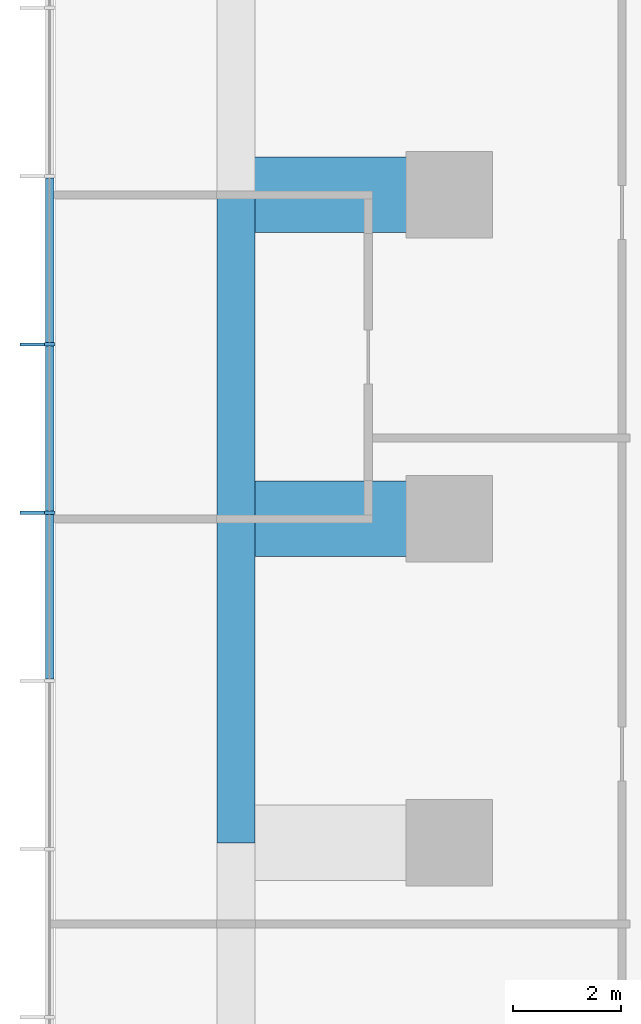
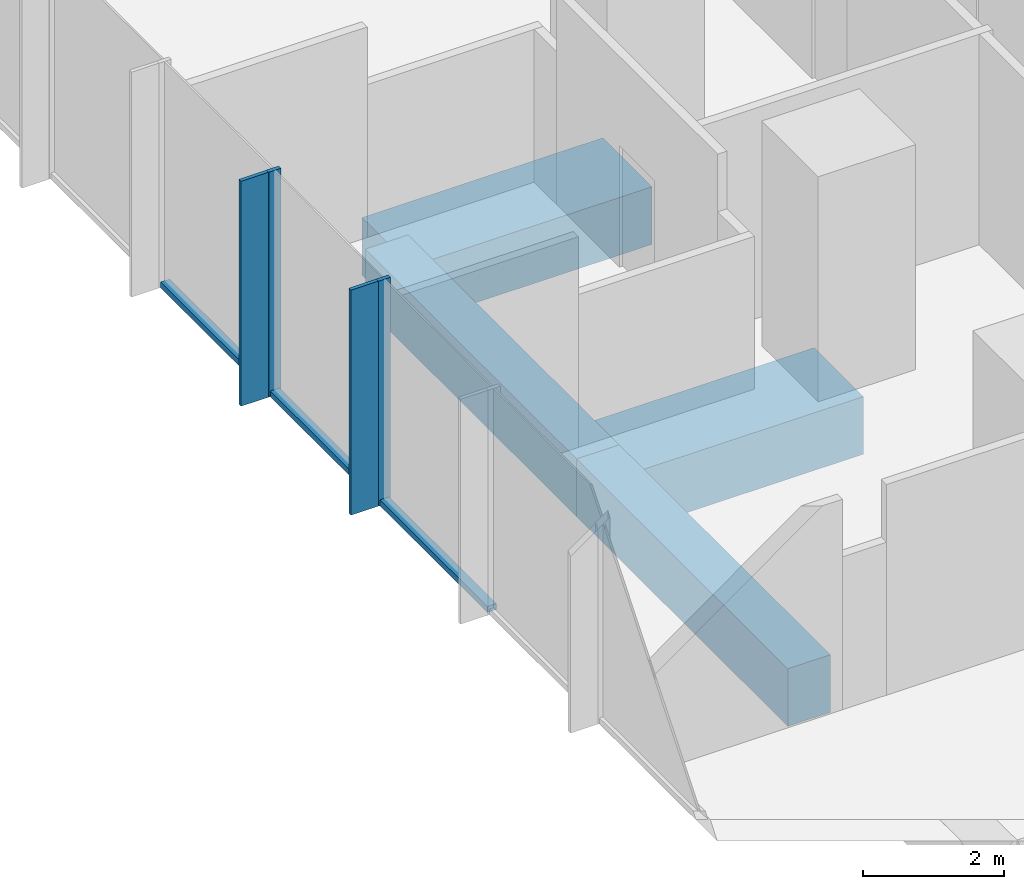
# One storey, part 3 of 11: 7 members, 4 beams, 1 element without a shape of its own.
"""IFC4 building model written with IfcOpenShell, lengths in metres."""

from ifc_helpers import new_model, si_unit, direction, frame, origin, origin_2d, place, context, subcontext, project, spatial, rectangle, extrude, material, layer, layer_set, material_profile, profile_set, type_object, element, aggregate, save


model = new_model("IFC4")

# Units and contexts
model_context = context("Model", 3, precision=1e-05, world=origin(), true_north=direction((0.0, 1.0)))
body_context = subcontext(model_context, "Body", "Model", "MODEL_VIEW")
ifc_project = project(units=[si_unit("LENGTHUNIT", "METRE"), si_unit("AREAUNIT", "SQUARE_METRE"), si_unit("VOLUMEUNIT", "CUBIC_METRE"), si_unit("PLANEANGLEUNIT", "RADIAN"), si_unit("MASSUNIT", "GRAM", prefix="KILO")], contexts=[model_context])

# Site, building, storey
site_placement = place(None, origin())
site = spatial("IfcSite", under=ifc_project, at=site_placement, CompositionType="ELEMENT")
building_placement = place(site_placement, origin())
building = spatial("IfcBuilding", under=site, at=building_placement, Name="Highveld Stack Headquarters", CompositionType="ELEMENT")
storey_placement = place(building_placement, frame((0.0, 0.0, 188.89990234375)))
storey = spatial("IfcBuildingStorey", under=building, at=storey_placement, Name="L46", CompositionType="ELEMENT", Elevation=188.89990234375)

# Beams
ifc_material_1 = material(Name="Concrete C60/75", Category="concrete")
ifc_material_profile_1 = material_profile(ifc_material_1, rectangle(XDim=1.39990234375, YDim=1.0, at=origin_2d()), Name="RC 1400x1000")
ifc_profile_set_1 = profile_set([ifc_material_profile_1], Name="Concrete C60/75")
beam_type_1 = type_object("IfcBeamType", Name="CANTILEVER RIB RC 1400x1000", PredefinedType="USERDEFINED", material=ifc_profile_set_1)
for number, where, z_axis, x_axis, name in (
    (1, (-12.0, 12.0, -0.75), (-1.0, 0.0, 0.0), (0.0, -1.0, 0.0), "Cantilever rib 4/G L46"),
    (2, (-12.0, 18.0, -0.75), (-1.0, 0.0, 0.0), (0.0, -1.0, 0.0), "Cantilever rib 4/H L46"),
):
    element("IfcBeam", number, at=place(storey_placement, frame(where, z_axis=z_axis, x_axis=x_axis)), inside=storey, type_object=beam_type_1, Name=name, ObjectType="CANTILEVER RIB", PredefinedType="USERDEFINED", context=body_context, shape_type="SweptSolid", body=[
        extrude(rectangle(XDim=1.39990234375, YDim=1.0, at=origin_2d()), origin(), (0.0, 0.0, 1.0), 3.949951171875),
    ])

# Curtain wall, members
ifc_material_2 = material(Name="Aluminium bronze anodised", Category="aluminium")
ifc_layer = layer(ifc_material_2, 0.199951171875)
ifc_layer_set = layer_set([ifc_layer], Name="Aluminium bronze anodised")
curtain_wall_type = type_object("IfcCurtainWallType", Name="CW1 TOWER UNITISED CURTAIN WALL", PredefinedType="NOTDEFINED", material=ifc_layer_set)
curtain_wall_placement = place(storey_placement, origin())
curtain_wall = element("IfcCurtainWall", 3, at=curtain_wall_placement, inside=storey, type_object=curtain_wall_type, Name="Curtain wall CW1 L46 W", PredefinedType="NOTDEFINED")
ifc_material_3 = material(Name="Aluminium bronze anodised", Category="aluminium")
ifc_material_profile_2 = material_profile(ifc_material_3, rectangle(XDim=0.449951171875, YDim=0.06005859375, at=origin_2d()), Name="FIN 450x60")
ifc_profile_set_2 = profile_set([ifc_material_profile_2], Name="Aluminium bronze anodised")
member_type_1 = type_object("IfcMemberType", Name="CW1 BRONZE FIN 450x60", PredefinedType="USERDEFINED", material=ifc_profile_set_2)
member_1_placement = place(storey_placement, frame((-19.72509765625, 15.23193359375, 0.0), z_axis=(0.0, 0.0, 1.0), x_axis=(1.0, 0.0, 0.0)))
member_1 = element("IfcMember", 4, at=member_1_placement, type_object=member_type_1, Name="CW1 fin L46 4", ObjectType="FIN", PredefinedType="USERDEFINED", context=body_context, shape_type="SweptSolid", body=[
    extrude(rectangle(XDim=0.449951171875, YDim=0.06005859375, at=origin_2d()), origin(), (0.0, 0.0, 1.0), 3.900146484375),
])
member_2_placement = place(storey_placement, frame((-19.72509765625, 12.115966796875, 0.0), z_axis=(0.0, 0.0, 1.0), x_axis=(1.0, 0.0, 0.0)))
member_2 = element("IfcMember", 5, at=member_2_placement, type_object=member_type_1, Name="CW1 fin L46 5", ObjectType="FIN", PredefinedType="USERDEFINED", context=body_context, shape_type="SweptSolid", body=[
    extrude(rectangle(XDim=0.449951171875, YDim=0.06005859375, at=origin_2d()), origin(), (0.0, 0.0, 1.0), 3.900146484375),
])
ifc_material_4 = material(Name="Aluminium bronze anodised", Category="aluminium")
ifc_material_profile_3 = material_profile(ifc_material_4, rectangle(XDim=0.199951171875, YDim=0.06494140625, at=origin_2d()), Name="CW1 MULLION 65x200")
ifc_profile_set_3 = profile_set([ifc_material_profile_3], Name="Aluminium bronze anodised")
member_type_2 = type_object("IfcMemberType", Name="CW1 MULLION 65x200", PredefinedType="MULLION", material=ifc_profile_set_3)
member_3_placement = place(storey_placement, frame((-19.39990234375, 15.23193359375, 0.0), z_axis=(0.0, 0.0, 1.0), x_axis=(1.0, 0.0, 0.0)))
member_3 = element("IfcMember", 6, at=member_3_placement, type_object=member_type_2, Name="CW1 mullion L46 4", PredefinedType="MULLION", context=body_context, shape_type="SweptSolid", body=[
    extrude(rectangle(XDim=0.199951171875, YDim=0.06494140625, at=origin_2d()), origin(), (0.0, 0.0, 1.0), 3.900146484375),
])
member_4_placement = place(storey_placement, frame((-19.39990234375, 12.115966796875, 0.0), z_axis=(0.0, 0.0, 1.0), x_axis=(1.0, 0.0, 0.0)))
member_4 = element("IfcMember", 7, at=member_4_placement, type_object=member_type_2, Name="CW1 mullion L46 5", PredefinedType="MULLION", context=body_context, shape_type="SweptSolid", body=[
    extrude(rectangle(XDim=0.199951171875, YDim=0.06494140625, at=origin_2d()), origin(), (0.0, 0.0, 1.0), 3.900146484375),
])
ifc_material_5 = material(Name="Aluminium bronze anodised", Category="aluminium")
ifc_material_profile_4 = material_profile(ifc_material_5, rectangle(XDim=0.14990234375, YDim=0.10009765625, at=origin_2d()), Name="CW1 TRANSOM 150x100")
ifc_profile_set_4 = profile_set([ifc_material_profile_4], Name="Aluminium bronze anodised")
member_type_3 = type_object("IfcMemberType", Name="CW1 STACK TRANSOM 150x100", PredefinedType="USERDEFINED", material=ifc_profile_set_4)
member_5_placement = place(storey_placement, frame((-19.39990234375, 18.3154296875, 0.050048828125), z_axis=(0.0, -1.0, 0.0), x_axis=(1.0, 0.0, 0.0)))
member_5 = element("IfcMember", 8, at=member_5_placement, type_object=member_type_3, Name="CW1 transom L46 3.1", ObjectType="TRANSOM", PredefinedType="USERDEFINED", context=body_context, shape_type="SweptSolid", body=[
    extrude(rectangle(XDim=0.14990234375, YDim=0.10009765625, at=origin_2d()), origin(), (0.0, 0.0, 1.0), 3.051025390625),
])
member_6_placement = place(storey_placement, frame((-19.39990234375, 15.199462890625, 0.050048828125), z_axis=(0.0, -1.0, 0.0), x_axis=(1.0, 0.0, 0.0)))
member_6 = element("IfcMember", 9, at=member_6_placement, type_object=member_type_3, Name="CW1 transom L46 4.1", ObjectType="TRANSOM", PredefinedType="USERDEFINED", context=body_context, shape_type="SweptSolid", body=[
    extrude(rectangle(XDim=0.14990234375, YDim=0.10009765625, at=origin_2d()), origin(), (0.0, 0.0, 1.0), 3.051025390625),
])
member_7_placement = place(storey_placement, frame((-19.39990234375, 12.08349609375, 0.050048828125), z_axis=(0.0, -1.0, 0.0), x_axis=(1.0, 0.0, 0.0)))
member_7 = element("IfcMember", 10, at=member_7_placement, type_object=member_type_3, Name="CW1 transom L46 5.1", ObjectType="TRANSOM", PredefinedType="USERDEFINED", context=body_context, shape_type="SweptSolid", body=[
    extrude(rectangle(XDim=0.14990234375, YDim=0.10009765625, at=origin_2d()), origin(), (0.0, 0.0, 1.0), 3.051025390625),
])
aggregate(curtain_wall, [member_3, member_1, member_4, member_2, member_5, member_6, member_7])

# Beams
ifc_material_6 = material(Name="Concrete C60/75", Category="concrete")
ifc_material_profile_5 = material_profile(ifc_material_6, rectangle(XDim=0.699951171875, YDim=1.0, at=origin_2d()), Name="RC 700x1000")
ifc_profile_set_5 = profile_set([ifc_material_profile_5], Name="Concrete C60/75")
beam_type_2 = type_object("IfcBeamType", Name="RIB TIP BEAM RC 700x1000", PredefinedType="SPANDREL", material=ifc_profile_set_5)
for number, where, z_axis, x_axis, name in (
    (11, (-15.949951171875, 6.0, -0.75), (0.0, 1.0, 0.0), (-1.0, 0.0, 0.0), "Rib tip beam 4/F to 4/G L46"),
    (12, (-15.949951171875, 12.0, -0.75), (0.0, 1.0, 0.0), (-1.0, 0.0, 0.0), "Rib tip beam 4/G to 4/H L46"),
):
    element("IfcBeam", number, at=place(storey_placement, frame(where, z_axis=z_axis, x_axis=x_axis)), inside=storey, type_object=beam_type_2, Name=name, PredefinedType="SPANDREL", context=body_context, shape_type="SweptSolid", body=[
        extrude(rectangle(XDim=0.699951171875, YDim=1.0, at=origin_2d()), origin(), (0.0, 0.0, 1.0), 6.0),
    ])

save(model, "model.ifc")
